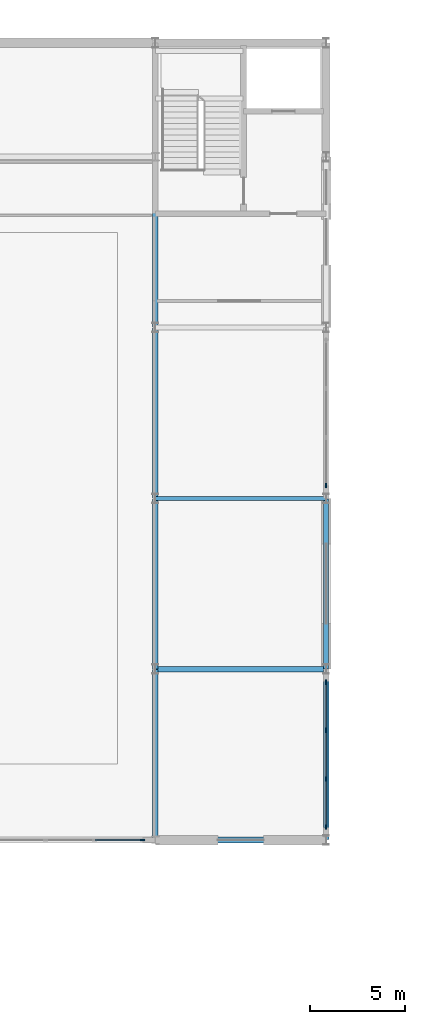
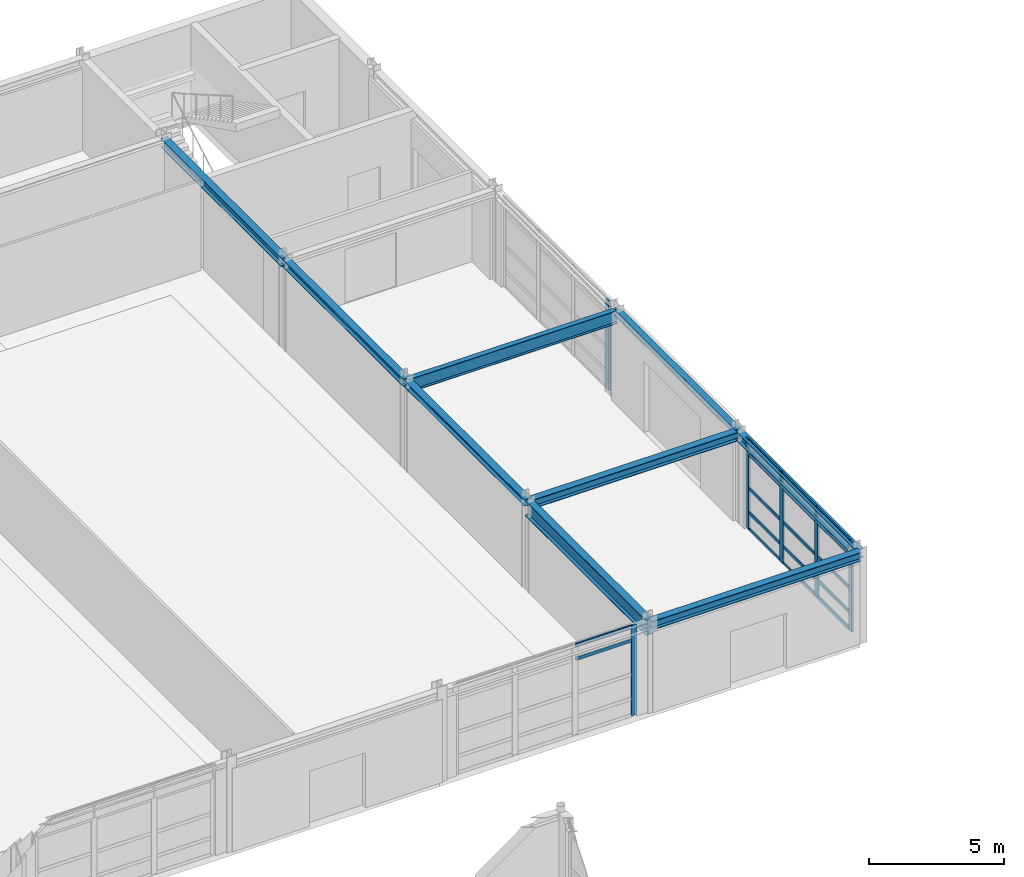
# One storey, part 44 of 72: 23 members, 9 beams, 3 elements without a shape of their own.
"""IFC4 building model written with IfcOpenShell, lengths in metres."""

from ifc_helpers import new_model, si_unit, direction, frame, origin, origin_2d, place, context, subcontext, project, spatial, rectangle, i_section, extrude, material, material_profile, profile_set, type_object, element, aggregate, save


model = new_model("IFC4")

# Units and contexts
model_context = context("Model", 3, precision=1e-05, world=origin(), true_north=direction((0.0, 1.0)))
body_context = subcontext(model_context, "Body", "Model", "MODEL_VIEW")
ifc_project = project(units=[si_unit("LENGTHUNIT", "METRE"), si_unit("AREAUNIT", "SQUARE_METRE"), si_unit("VOLUMEUNIT", "CUBIC_METRE"), si_unit("PLANEANGLEUNIT", "RADIAN"), si_unit("MASSUNIT", "GRAM", prefix="KILO")], contexts=[model_context])

# Site, building, storey
site_placement = place(None, origin())
site = spatial("IfcSite", under=ifc_project, at=site_placement, CompositionType="ELEMENT")
building_placement = place(site_placement, origin())
building = spatial("IfcBuilding", under=site, at=building_placement, Name="Palais des Congres Ocreval", CompositionType="ELEMENT")
storey_placement = place(building_placement, origin())
storey = spatial("IfcBuildingStorey", under=building, at=storey_placement, Name="L00", CompositionType="ELEMENT", Elevation=0.0)

# Beam
ifc_material_1 = material(Name="Steel S355", Category="steel")
ifc_material_profile_1 = material_profile(ifc_material_1, i_section(OverallWidth=0.219970703125, OverallDepth=0.60009765625, WebThickness=0.011962890625, FlangeThickness=0.01904296875, at=origin_2d()), Name="IPE 600")
ifc_profile_set_1 = profile_set([ifc_material_profile_1], Name="Steel S355")
beam_type_1 = type_object("IfcBeamType", Name="Composite Beam IPE 600 Steel S355", PredefinedType="BEAM", material=ifc_profile_set_1)
beam_1_placement = place(storey_placement, frame((153.02001953125, 90.0, 3.7548828125), z_axis=(1.0, 0.0, 0.0), x_axis=(0.0, 1.0, 0.0)))
element("IfcBeam", 1, at=beam_1_placement, inside=storey, type_object=beam_type_1, Name="Beam B06 L00", PredefinedType="BEAM", context=body_context, shape_type="SweptSolid", body=[
    extrude(i_section(OverallWidth=0.219970703125, OverallDepth=0.60009765625, WebThickness=0.011962890625, FlangeThickness=0.01904296875, at=origin_2d()), origin(), (0.0, 0.0, 1.0), 8.9599609375),
])

# Curtain wall, member
ifc_material_2 = material(Name="Anodized bronze aluminium and low-E glass", Category="glass")
curtain_wall_type = type_object("IfcCurtainWallType", Name="Unitised Curtain Wall 7900x4060", PredefinedType="USERDEFINED", material=ifc_material_2)
curtain_wall_1_placement = place(storey_placement, origin())
curtain_wall_1 = element("IfcCurtainWall", 2, at=curtain_wall_1_placement, inside=storey, type_object=curtain_wall_type, Name="Unitised Curtain Wall CW01 L00", ObjectType="UNITISED CURTAIN WALL", PredefinedType="USERDEFINED")
ifc_material_3 = material(Name="Anodized bronze aluminium", Category="aluminium")
ifc_material_profile_2 = material_profile(ifc_material_3, rectangle(XDim=0.074951171875, YDim=0.239990234375, at=origin_2d()), Name="ALU 75x240")
ifc_profile_set_2 = profile_set([ifc_material_profile_2], Name="Anodized bronze aluminium")
member_type_1 = type_object("IfcMemberType", Name="Curtain Wall Mullion ALU 75x240", PredefinedType="MULLION", material=ifc_profile_set_2)
member_1_placement = place(storey_placement, frame((162.0, 90.6875, 0.0), z_axis=(0.0, 0.0, 1.0), x_axis=(1.0, 0.0, 0.0)))
member_1 = element("IfcMember", 3, at=member_1_placement, type_object=member_type_1, Name="Curtain Wall Mullion ML01", PredefinedType="MULLION", context=body_context, shape_type="SweptSolid", body=[
    extrude(rectangle(XDim=0.074951171875, YDim=0.239990234375, at=origin_2d()), origin(), (0.0, 0.0, 1.0), 4.054931640625),
])
aggregate(curtain_wall_1, [member_1])

# Curtain wall, members
curtain_wall_2_placement = place(storey_placement, origin())
curtain_wall_2 = element("IfcCurtainWall", 4, at=curtain_wall_2_placement, inside=storey, type_object=curtain_wall_type, Name="Unitised Curtain Wall CW01 L00", ObjectType="UNITISED CURTAIN WALL", PredefinedType="USERDEFINED")
member_2_placement = place(storey_placement, frame((162.0, 80.3125, 0.0), z_axis=(0.0, 0.0, 1.0), x_axis=(1.0, 0.0, 0.0)))
member_2 = element("IfcMember", 5, at=member_2_placement, type_object=member_type_1, Name="Curtain Wall Mullion ML01", PredefinedType="MULLION", context=body_context, shape_type="SweptSolid", body=[
    extrude(rectangle(XDim=0.074951171875, YDim=0.239990234375, at=origin_2d()), origin(), (0.0, 0.0, 1.0), 4.054931640625),
])
member_3_placement = place(storey_placement, frame((162.0, 77.783203125, 0.0), z_axis=(0.0, 0.0, 1.0), x_axis=(1.0, 0.0, 0.0)))
member_3 = element("IfcMember", 6, at=member_3_placement, type_object=member_type_1, Name="Curtain Wall Mullion ML01", PredefinedType="MULLION", context=body_context, shape_type="SweptSolid", body=[
    extrude(rectangle(XDim=0.074951171875, YDim=0.239990234375, at=origin_2d()), origin(), (0.0, 0.0, 1.0), 4.054931640625),
])
member_4_placement = place(storey_placement, frame((162.0, 75.216796875, 0.0), z_axis=(0.0, 0.0, 1.0), x_axis=(1.0, 0.0, 0.0)))
member_4 = element("IfcMember", 7, at=member_4_placement, type_object=member_type_1, Name="Curtain Wall Mullion ML01", PredefinedType="MULLION", context=body_context, shape_type="SweptSolid", body=[
    extrude(rectangle(XDim=0.074951171875, YDim=0.239990234375, at=origin_2d()), origin(), (0.0, 0.0, 1.0), 4.054931640625),
])
member_5_placement = place(storey_placement, frame((162.0, 72.6875, 0.0), z_axis=(0.0, 0.0, 1.0), x_axis=(1.0, 0.0, 0.0)))
member_5 = element("IfcMember", 8, at=member_5_placement, type_object=member_type_1, Name="Curtain Wall Mullion ML01", PredefinedType="MULLION", context=body_context, shape_type="SweptSolid", body=[
    extrude(rectangle(XDim=0.074951171875, YDim=0.239990234375, at=origin_2d()), origin(), (0.0, 0.0, 1.0), 4.054931640625),
])

# Curtain wall, member
curtain_wall_3_placement = place(storey_placement, origin())
curtain_wall_3 = element("IfcCurtainWall", 9, at=curtain_wall_3_placement, inside=storey, type_object=curtain_wall_type, Name="Unitised Curtain Wall CW01 L00", ObjectType="UNITISED CURTAIN WALL", PredefinedType="USERDEFINED")
member_6_placement = place(storey_placement, frame((152.3125, 72.0, 0.0), z_axis=(0.0, 0.0, 1.0), x_axis=(0.0, -1.0, 0.0)))
member_6 = element("IfcMember", 10, at=member_6_placement, type_object=member_type_1, Name="Curtain Wall Mullion ML01", PredefinedType="MULLION", context=body_context, shape_type="SweptSolid", body=[
    extrude(rectangle(XDim=0.074951171875, YDim=0.239990234375, at=origin_2d()), origin(), (0.0, 0.0, 1.0), 4.054931640625),
])

# Member
ifc_material_profile_3 = material_profile(ifc_material_3, rectangle(XDim=0.06005859375, YDim=0.14990234375, at=origin_2d()), Name="ALU 60x150")
ifc_profile_set_3 = profile_set([ifc_material_profile_3], Name="Anodized bronze aluminium")
member_type_2 = type_object("IfcMemberType", Name="Curtain Wall Transom ALU 60x150", PredefinedType="USERDEFINED", material=ifc_profile_set_3)
member_7_placement = place(storey_placement, frame((162.0, 80.27490234375, 0.030029296875), z_axis=(0.0, -1.0, 0.0), x_axis=(1.0, 0.0, 0.0)))
member_7 = element("IfcMember", 11, at=member_7_placement, type_object=member_type_2, Name="Curtain Wall Transom TR01", ObjectType="TRANSOM", PredefinedType="USERDEFINED", context=body_context, shape_type="SweptSolid", body=[
    extrude(rectangle(XDim=0.06005859375, YDim=0.14990234375, at=origin_2d()), origin(), (0.0, 0.0, 1.0), 2.4541015625),
])

member_8_placement = place(storey_placement, frame((162.0, 80.27490234375, 0.780029296875), z_axis=(0.0, -1.0, 0.0), x_axis=(1.0, 0.0, 0.0)))
member_8 = element("IfcMember", 12, at=member_8_placement, type_object=member_type_2, Name="Curtain Wall Transom TR01", ObjectType="TRANSOM", PredefinedType="USERDEFINED", context=body_context, shape_type="SweptSolid", body=[
    extrude(rectangle(XDim=0.06005859375, YDim=0.14990234375, at=origin_2d()), origin(), (0.0, 0.0, 1.0), 2.4541015625),
])

member_9_placement = place(storey_placement, frame((162.0, 80.27490234375, 1.872802734375), z_axis=(0.0, -1.0, 0.0), x_axis=(1.0, 0.0, 0.0)))
member_9 = element("IfcMember", 13, at=member_9_placement, type_object=member_type_2, Name="Curtain Wall Transom TR01", ObjectType="TRANSOM", PredefinedType="USERDEFINED", context=body_context, shape_type="SweptSolid", body=[
    extrude(rectangle(XDim=0.06005859375, YDim=0.14990234375, at=origin_2d()), origin(), (0.0, 0.0, 1.0), 2.4541015625),
])

member_10_placement = place(storey_placement, frame((162.0, 80.27490234375, 3.405029296875), z_axis=(0.0, -1.0, 0.0), x_axis=(1.0, 0.0, 0.0)))
member_10 = element("IfcMember", 14, at=member_10_placement, type_object=member_type_2, Name="Curtain Wall Transom TR01", ObjectType="TRANSOM", PredefinedType="USERDEFINED", context=body_context, shape_type="SweptSolid", body=[
    extrude(rectangle(XDim=0.06005859375, YDim=0.14990234375, at=origin_2d()), origin(), (0.0, 0.0, 1.0), 2.4541015625),
])

member_11_placement = place(storey_placement, frame((162.0, 80.27490234375, 4.02490234375), z_axis=(0.0, -1.0, 0.0), x_axis=(1.0, 0.0, 0.0)))
member_11 = element("IfcMember", 15, at=member_11_placement, type_object=member_type_2, Name="Curtain Wall Transom TR01", ObjectType="TRANSOM", PredefinedType="USERDEFINED", context=body_context, shape_type="SweptSolid", body=[
    extrude(rectangle(XDim=0.06005859375, YDim=0.14990234375, at=origin_2d()), origin(), (0.0, 0.0, 1.0), 2.4541015625),
])

member_12_placement = place(storey_placement, frame((162.0, 77.745849609375, 0.030029296875), z_axis=(0.0, -1.0, 0.0), x_axis=(1.0, 0.0, 0.0)))
member_12 = element("IfcMember", 16, at=member_12_placement, type_object=member_type_2, Name="Curtain Wall Transom TR01", ObjectType="TRANSOM", PredefinedType="USERDEFINED", context=body_context, shape_type="SweptSolid", body=[
    extrude(rectangle(XDim=0.06005859375, YDim=0.14990234375, at=origin_2d()), origin(), (0.0, 0.0, 1.0), 2.49169921875),
])

member_13_placement = place(storey_placement, frame((162.0, 77.745849609375, 0.780029296875), z_axis=(0.0, -1.0, 0.0), x_axis=(1.0, 0.0, 0.0)))
member_13 = element("IfcMember", 17, at=member_13_placement, type_object=member_type_2, Name="Curtain Wall Transom TR01", ObjectType="TRANSOM", PredefinedType="USERDEFINED", context=body_context, shape_type="SweptSolid", body=[
    extrude(rectangle(XDim=0.06005859375, YDim=0.14990234375, at=origin_2d()), origin(), (0.0, 0.0, 1.0), 2.49169921875),
])

member_14_placement = place(storey_placement, frame((162.0, 77.745849609375, 1.872802734375), z_axis=(0.0, -1.0, 0.0), x_axis=(1.0, 0.0, 0.0)))
member_14 = element("IfcMember", 18, at=member_14_placement, type_object=member_type_2, Name="Curtain Wall Transom TR01", ObjectType="TRANSOM", PredefinedType="USERDEFINED", context=body_context, shape_type="SweptSolid", body=[
    extrude(rectangle(XDim=0.06005859375, YDim=0.14990234375, at=origin_2d()), origin(), (0.0, 0.0, 1.0), 2.49169921875),
])

member_15_placement = place(storey_placement, frame((162.0, 77.745849609375, 3.405029296875), z_axis=(0.0, -1.0, 0.0), x_axis=(1.0, 0.0, 0.0)))
member_15 = element("IfcMember", 19, at=member_15_placement, type_object=member_type_2, Name="Curtain Wall Transom TR01", ObjectType="TRANSOM", PredefinedType="USERDEFINED", context=body_context, shape_type="SweptSolid", body=[
    extrude(rectangle(XDim=0.06005859375, YDim=0.14990234375, at=origin_2d()), origin(), (0.0, 0.0, 1.0), 2.49169921875),
])

member_16_placement = place(storey_placement, frame((162.0, 77.745849609375, 4.02490234375), z_axis=(0.0, -1.0, 0.0), x_axis=(1.0, 0.0, 0.0)))
member_16 = element("IfcMember", 20, at=member_16_placement, type_object=member_type_2, Name="Curtain Wall Transom TR01", ObjectType="TRANSOM", PredefinedType="USERDEFINED", context=body_context, shape_type="SweptSolid", body=[
    extrude(rectangle(XDim=0.06005859375, YDim=0.14990234375, at=origin_2d()), origin(), (0.0, 0.0, 1.0), 2.49169921875),
])

member_17_placement = place(storey_placement, frame((162.0, 75.17919921875, 0.030029296875), z_axis=(0.0, -1.0, 0.0), x_axis=(1.0, 0.0, 0.0)))
member_17 = element("IfcMember", 21, at=member_17_placement, type_object=member_type_2, Name="Curtain Wall Transom TR01", ObjectType="TRANSOM", PredefinedType="USERDEFINED", context=body_context, shape_type="SweptSolid", body=[
    extrude(rectangle(XDim=0.06005859375, YDim=0.14990234375, at=origin_2d()), origin(), (0.0, 0.0, 1.0), 2.4541015625),
])

member_18_placement = place(storey_placement, frame((162.0, 75.17919921875, 0.780029296875), z_axis=(0.0, -1.0, 0.0), x_axis=(1.0, 0.0, 0.0)))
member_18 = element("IfcMember", 22, at=member_18_placement, type_object=member_type_2, Name="Curtain Wall Transom TR01", ObjectType="TRANSOM", PredefinedType="USERDEFINED", context=body_context, shape_type="SweptSolid", body=[
    extrude(rectangle(XDim=0.06005859375, YDim=0.14990234375, at=origin_2d()), origin(), (0.0, 0.0, 1.0), 2.4541015625),
])

member_19_placement = place(storey_placement, frame((162.0, 75.17919921875, 1.872802734375), z_axis=(0.0, -1.0, 0.0), x_axis=(1.0, 0.0, 0.0)))
member_19 = element("IfcMember", 23, at=member_19_placement, type_object=member_type_2, Name="Curtain Wall Transom TR01", ObjectType="TRANSOM", PredefinedType="USERDEFINED", context=body_context, shape_type="SweptSolid", body=[
    extrude(rectangle(XDim=0.06005859375, YDim=0.14990234375, at=origin_2d()), origin(), (0.0, 0.0, 1.0), 2.4541015625),
])

member_20_placement = place(storey_placement, frame((162.0, 75.17919921875, 3.405029296875), z_axis=(0.0, -1.0, 0.0), x_axis=(1.0, 0.0, 0.0)))
member_20 = element("IfcMember", 24, at=member_20_placement, type_object=member_type_2, Name="Curtain Wall Transom TR01", ObjectType="TRANSOM", PredefinedType="USERDEFINED", context=body_context, shape_type="SweptSolid", body=[
    extrude(rectangle(XDim=0.06005859375, YDim=0.14990234375, at=origin_2d()), origin(), (0.0, 0.0, 1.0), 2.4541015625),
])

member_21_placement = place(storey_placement, frame((162.0, 75.17919921875, 4.02490234375), z_axis=(0.0, -1.0, 0.0), x_axis=(1.0, 0.0, 0.0)))
member_21 = element("IfcMember", 25, at=member_21_placement, type_object=member_type_2, Name="Curtain Wall Transom TR01", ObjectType="TRANSOM", PredefinedType="USERDEFINED", context=body_context, shape_type="SweptSolid", body=[
    extrude(rectangle(XDim=0.06005859375, YDim=0.14990234375, at=origin_2d()), origin(), (0.0, 0.0, 1.0), 2.4541015625),
])

aggregate(curtain_wall_2, [member_2, member_3, member_4, member_5, member_7, member_8, member_9, member_10, member_11, member_12, member_13, member_14, member_15, member_16, member_17, member_18, member_19, member_20, member_21])

member_22_placement = place(storey_placement, frame((152.27490234375, 72.0, 3.405029296875), z_axis=(-1.0, 0.0, 0.0), x_axis=(0.0, -1.0, 0.0)))
member_22 = element("IfcMember", 26, at=member_22_placement, type_object=member_type_2, Name="Curtain Wall Transom TR01", ObjectType="TRANSOM", PredefinedType="USERDEFINED", context=body_context, shape_type="SweptSolid", body=[
    extrude(rectangle(XDim=0.06005859375, YDim=0.14990234375, at=origin_2d()), origin(), (0.0, 0.0, 1.0), 2.4541015625),
])

member_23_placement = place(storey_placement, frame((152.27490234375, 72.0, 4.02490234375), z_axis=(-1.0, 0.0, 0.0), x_axis=(0.0, -1.0, 0.0)))
member_23 = element("IfcMember", 27, at=member_23_placement, type_object=member_type_2, Name="Curtain Wall Transom TR01", ObjectType="TRANSOM", PredefinedType="USERDEFINED", context=body_context, shape_type="SweptSolid", body=[
    extrude(rectangle(XDim=0.06005859375, YDim=0.14990234375, at=origin_2d()), origin(), (0.0, 0.0, 1.0), 2.4541015625),
])

aggregate(curtain_wall_3, [member_6, member_22, member_23])

# Beams
ifc_material_profile_4 = material_profile(ifc_material_1, i_section(OverallWidth=0.260009765625, OverallDepth=0.260009765625, WebThickness=0.010009765625, FlangeThickness=0.017578125, at=origin_2d()), Name="HEB 260")
ifc_profile_set_4 = profile_set([ifc_material_profile_4], Name="Steel S355")
beam_type_2 = type_object("IfcBeamType", Name="Opening Lintel HEB 260 Steel S355", PredefinedType="LINTEL", material=ifc_profile_set_4)
beam_2_placement = place(storey_placement, frame((162.0, 81.02001953125, 3.925048828125), z_axis=(0.0, 1.0, 0.0), x_axis=(-1.0, 0.0, 0.0)))
element("IfcBeam", 28, at=beam_2_placement, inside=storey, type_object=beam_type_2, Name="Girder LN01 L00", PredefinedType="LINTEL", context=body_context, shape_type="SweptSolid", body=[
    extrude(i_section(OverallWidth=0.260009765625, OverallDepth=0.260009765625, WebThickness=0.010009765625, FlangeThickness=0.017578125, at=origin_2d()), origin(), (0.0, 0.0, 1.0), 8.9599609375),
])
ifc_material_profile_5 = material_profile(ifc_material_1, i_section(OverallWidth=0.300048828125, OverallDepth=0.39990234375, WebThickness=0.013427734375, FlangeThickness=0.02392578125, at=origin_2d()), Name="HEB 400")
ifc_profile_set_5 = profile_set([ifc_material_profile_5], Name="Steel S355")
beam_type_3 = type_object("IfcBeamType", Name="Perimeter Spandrel HEB 400 Steel S355", PredefinedType="SPANDREL", material=ifc_profile_set_5)
for number, where, z_axis, x_axis, name in (
    (29, (153.02001953125, 72.0, 3.85498046875), (1.0, 0.0, 0.0), (0.0, 1.0, 0.0), "Beam SP04 L00"),
    (30, (153.02001953125, 81.0, 3.85498046875), (1.0, 0.0, 0.0), (0.0, 1.0, 0.0), "Beam SP04 L00"),
    (31, (162.0, 72.02001953125, 3.85498046875), (0.0, 1.0, 0.0), (-1.0, 0.0, 0.0), "Girder SP04 L00"),
):
    element("IfcBeam", number, at=place(storey_placement, frame(where, z_axis=z_axis, x_axis=x_axis)), inside=storey, type_object=beam_type_3, Name=name, PredefinedType="SPANDREL", context=body_context, shape_type="SweptSolid", body=[
        extrude(i_section(OverallWidth=0.300048828125, OverallDepth=0.39990234375, WebThickness=0.013427734375, FlangeThickness=0.02392578125, at=origin_2d()), origin(), (0.0, 0.0, 1.0), 8.9599609375),
    ])
ifc_material_profile_6 = material_profile(ifc_material_1, i_section(OverallWidth=0.300048828125, OverallDepth=0.2900390625, WebThickness=0.008544921875, FlangeThickness=0.013916015625, at=origin_2d()), Name="HEA 300")
ifc_profile_set_6 = profile_set([ifc_material_profile_6], Name="Steel S355")
beam_type_4 = type_object("IfcBeamType", Name="Primary Beam HEA 300 Steel S355", PredefinedType="BEAM", material=ifc_profile_set_6)
beam_3_placement = place(storey_placement, frame((153.0, 81.02001953125, 3.909912109375), z_axis=(0.0, 1.0, 0.0), x_axis=(-1.0, 0.0, 0.0)))
element("IfcBeam", 32, at=beam_3_placement, inside=storey, type_object=beam_type_4, Name="Girder B08 L00", PredefinedType="BEAM", context=body_context, shape_type="SweptSolid", body=[
    extrude(i_section(OverallWidth=0.300048828125, OverallDepth=0.2900390625, WebThickness=0.008544921875, FlangeThickness=0.013916015625, at=origin_2d()), origin(), (0.0, 0.0, 1.0), 8.9599609375),
])
ifc_material_profile_7 = material_profile(ifc_material_1, i_section(OverallWidth=0.300048828125, OverallDepth=0.330078125, WebThickness=0.009521484375, FlangeThickness=0.0166015625, at=origin_2d()), Name="HEA 340")
ifc_profile_set_7 = profile_set([ifc_material_profile_7], Name="Steel S355")
beam_type_5 = type_object("IfcBeamType", Name="Primary Beam HEA 340 Steel S355", PredefinedType="BEAM", material=ifc_profile_set_7)
beam_4_placement = place(storey_placement, frame((153.0, 90.02001953125, 3.889892578125), z_axis=(0.0, 1.0, 0.0), x_axis=(-1.0, 0.0, 0.0)))
element("IfcBeam", 33, at=beam_4_placement, inside=storey, type_object=beam_type_5, Name="Girder B09 L00", PredefinedType="BEAM", context=body_context, shape_type="SweptSolid", body=[
    extrude(i_section(OverallWidth=0.300048828125, OverallDepth=0.330078125, WebThickness=0.009521484375, FlangeThickness=0.0166015625, at=origin_2d()), origin(), (0.0, 0.0, 1.0), 8.9599609375),
])
ifc_material_profile_8 = material_profile(ifc_material_1, i_section(OverallWidth=0.300048828125, OverallDepth=0.389892578125, WebThickness=0.010986328125, FlangeThickness=0.01904296875, at=origin_2d()), Name="HEA 400")
ifc_profile_set_8 = profile_set([ifc_material_profile_8], Name="Steel S355")
beam_type_6 = type_object("IfcBeamType", Name="Primary Beam HEA 400 Steel S355", PredefinedType="BEAM", material=ifc_profile_set_8)
beam_5_placement = place(storey_placement, frame((153.0, 99.02001953125, 3.860107421875), z_axis=(0.0, 1.0, 0.0), x_axis=(-1.0, 0.0, 0.0)))
element("IfcBeam", 34, at=beam_5_placement, inside=storey, type_object=beam_type_6, Name="Girder B10 L00", PredefinedType="BEAM", context=body_context, shape_type="SweptSolid", body=[
    extrude(i_section(OverallWidth=0.300048828125, OverallDepth=0.389892578125, WebThickness=0.010986328125, FlangeThickness=0.01904296875, at=origin_2d()), origin(), (0.0, 0.0, 1.0), 8.9599609375),
])
ifc_material_profile_9 = material_profile(ifc_material_1, i_section(OverallWidth=0.300048828125, OverallDepth=0.68994140625, WebThickness=0.014404296875, FlangeThickness=0.027099609375, at=origin_2d()), Name="HEA 700")
ifc_profile_set_9 = profile_set([ifc_material_profile_9], Name="Steel S355")
beam_type_7 = type_object("IfcBeamType", Name="Primary Girder HEA 700 Steel S355", PredefinedType="BEAM", material=ifc_profile_set_9)
beam_6_placement = place(storey_placement, frame((153.0, 72.02001953125, 3.7099609375), z_axis=(0.0, 1.0, 0.0), x_axis=(-1.0, 0.0, 0.0)))
element("IfcBeam", 35, at=beam_6_placement, inside=storey, type_object=beam_type_7, Name="Girder B14 L00", PredefinedType="BEAM", context=body_context, shape_type="SweptSolid", body=[
    extrude(i_section(OverallWidth=0.300048828125, OverallDepth=0.68994140625, WebThickness=0.014404296875, FlangeThickness=0.027099609375, at=origin_2d()), origin(), (0.0, 0.0, 1.0), 8.9599609375),
])

save(model, "model.ifc")
